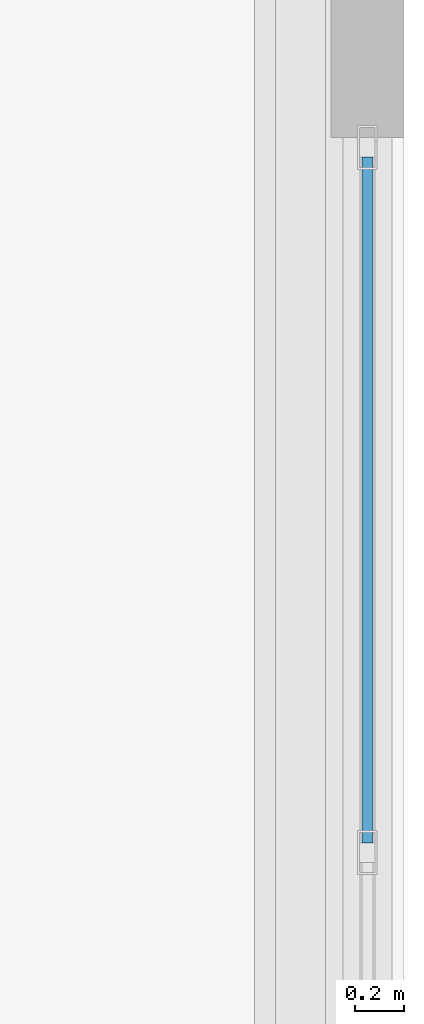
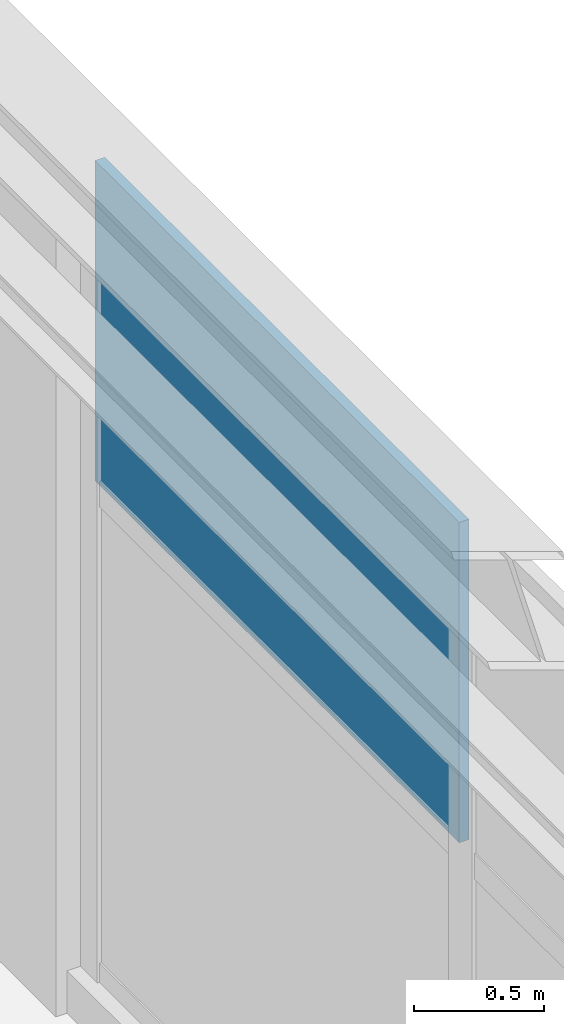
# One storey, part 20 of 29: 1 plate, 1 element without a shape of its own.
"""IFC4 building model written with IfcOpenShell, lengths in metres."""

from ifc_helpers import new_model, si_unit, direction, frame, origin, origin_2d, place, context, subcontext, project, spatial, rectangle, extrude, material, layer, layer_set, type_object, element, aggregate, save


model = new_model("IFC4")

# Units and contexts
model_context = context("Model", 3, precision=1e-05, world=origin(), true_north=direction((0.0, 1.0)))
body_context = subcontext(model_context, "Body", "Model", "MODEL_VIEW")
ifc_project = project(units=[si_unit("LENGTHUNIT", "METRE"), si_unit("AREAUNIT", "SQUARE_METRE"), si_unit("VOLUMEUNIT", "CUBIC_METRE"), si_unit("PLANEANGLEUNIT", "RADIAN"), si_unit("MASSUNIT", "GRAM", prefix="KILO")], contexts=[model_context])

# Site, building, storey
site_placement = place(None, origin())
site = spatial("IfcSite", under=ifc_project, at=site_placement, CompositionType="ELEMENT")
building_placement = place(site_placement, origin())
building = spatial("IfcBuilding", under=site, at=building_placement, Name="Mersakhor Tower and Convention Hall", CompositionType="ELEMENT")
storey_placement = place(building_placement, frame((0.0, 0.0, 9.60009765625)))
storey = spatial("IfcBuildingStorey", under=building, at=storey_placement, Name="L02", CompositionType="ELEMENT", Elevation=9.60009765625)

# Curtain wall, plate
ifc_material_1 = material(Name="Dark solar low-E aluminium curtain wall", Category="aluminium")
ifc_layer_1 = layer(ifc_material_1, 0.219970703125)
ifc_layer_set_1 = layer_set([ifc_layer_1], Name="Dark solar low-E aluminium curtain wall")
curtain_wall_type = type_object("IfcCurtainWallType", Name="CW-SYS-07", PredefinedType="USERDEFINED", material=ifc_layer_set_1)
curtain_wall_placement = place(storey_placement, origin())
curtain_wall = element("IfcCurtainWall", 1, at=curtain_wall_placement, inside=storey, type_object=curtain_wall_type, Name="Convention L02 East Curtain Wall", ObjectType="CURTAIN WALL", PredefinedType="USERDEFINED")
ifc_material_2 = material(Name="Dark solar double glazing", Category="glass")
ifc_layer_2 = layer(ifc_material_2, 0.0439453125)
ifc_layer_set_2 = layer_set([ifc_layer_2], Name="Dark solar double glazing")
plate_type = type_object("IfcPlateType", Name="CWP-GLZ-44", PredefinedType="CURTAIN_PANEL", material=ifc_layer_set_2)
plate_placement = place(storey_placement, frame((76.925048828125, 37.413330078125, 2.52978515625), z_axis=(0.0, 0.0, 1.0), x_axis=(0.0, -1.0, 0.0)))
plate = element("IfcPlate", 2, at=plate_placement, type_object=plate_type, Name="CW-07 panel 1.2", PredefinedType="CURTAIN_PANEL", context=body_context, shape_type="SweptSolid", body=[
    extrude(rectangle(XDim=2.813232421875, YDim=0.0439453125, at=origin_2d()), origin(), (0.0, 0.0, 1.0), 1.510009765625),
])
aggregate(curtain_wall, [plate])

save(model, "model.ifc")
